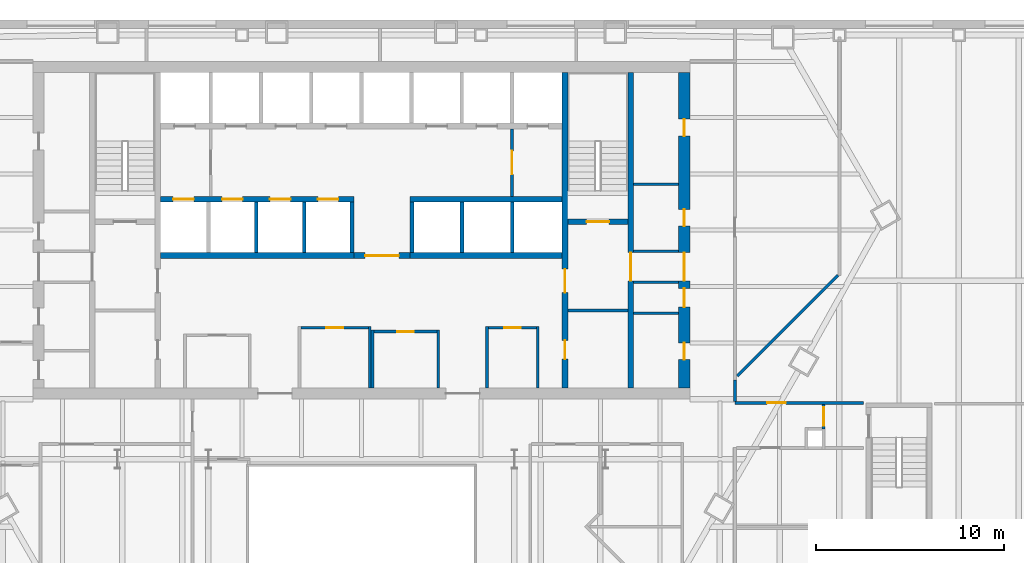
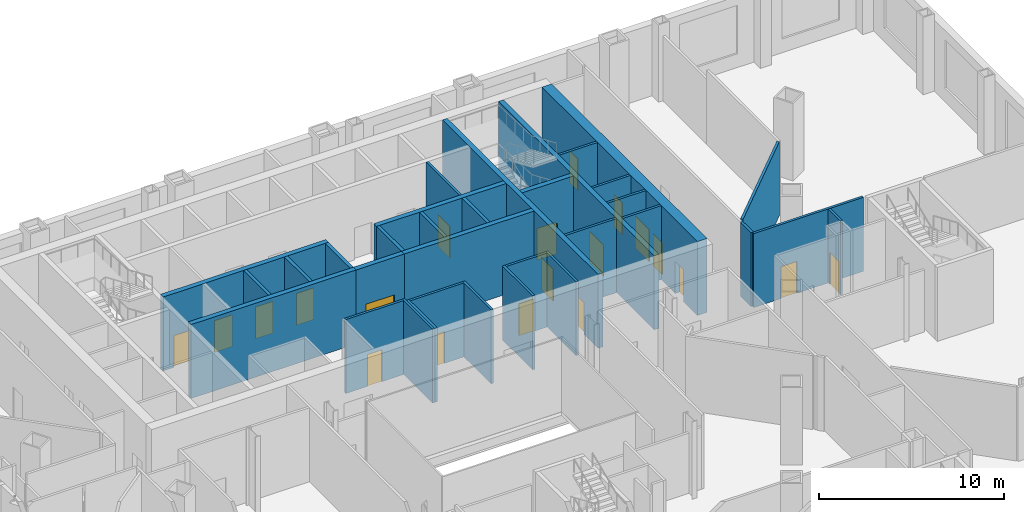
# One storey, part 13 of 21: 33 walls, 20 doors, 20 openings.
"""IFC4 building model written with IfcOpenShell, lengths in metres."""

from ifc_helpers import new_model, si_unit, direction, frame, frame_2d, origin, place, context, subcontext, project, spatial, rectangle, extrude, material, layer, layer_set, type_object, element, fill, save


model = new_model("IFC4")

# Units and contexts
model_context = context("Model", 3, precision=1e-05, world=origin(), true_north=direction((0.0, 1.0)))
body_context = subcontext(model_context, "Body", "Model", "MODEL_VIEW")
ifc_project = project(units=[si_unit("LENGTHUNIT", "METRE"), si_unit("AREAUNIT", "SQUARE_METRE"), si_unit("VOLUMEUNIT", "CUBIC_METRE"), si_unit("PLANEANGLEUNIT", "RADIAN"), si_unit("MASSUNIT", "GRAM", prefix="KILO")], contexts=[model_context])

# Site, building, storey
site_placement = place(None, origin())
site = spatial("IfcSite", under=ifc_project, at=site_placement, CompositionType="ELEMENT")
building_placement = place(site_placement, origin())
building = spatial("IfcBuilding", under=site, at=building_placement, Name="Njiva Tower", CompositionType="ELEMENT")
storey_placement = place(building_placement, frame((0.0, 0.0, 13.5)))
storey = spatial("IfcBuildingStorey", under=building, at=storey_placement, Name="L02", CompositionType="ELEMENT", Elevation=13.5)

# Walls
ifc_material_1 = material(Name="Blockwork", Category="masonry")
ifc_layer_1 = layer(ifc_material_1, 0.15)
ifc_layer_set_1 = layer_set([ifc_layer_1], Name="Blockwork")
wall_type_1 = type_object("IfcWallType", Name="WT1 Compartment partition 150", PredefinedType="PARTITIONING", material=ifc_layer_set_1)
wall_1_placement = place(storey_placement, frame((11.0, 4.725, 0.0), z_axis=(0.0, 0.0, 1.0), x_axis=(1.0, 0.0, 0.0)))
element("IfcWall", 1, at=wall_1_placement, inside=storey, type_object=wall_type_1, Name="Room wall B", PredefinedType="PARTITIONING", context=body_context, shape_type="SweptSolid", body=[
    extrude(rectangle(XDim=3.2, YDim=0.15, at=frame_2d((1.6, 0.0))), origin(), (0.0, 0.0, 1.0), 4.88),
])
wall_2_placement = place(storey_placement, frame((14.5, 4.575, 0.0), z_axis=(0.0, 0.0, 1.0), x_axis=(1.0, 0.0, 0.0)))
element("IfcWall", 2, at=wall_2_placement, inside=storey, type_object=wall_type_1, Name="Partition strip E00", PredefinedType="PARTITIONING", context=body_context, shape_type="SweptSolid", body=[
    extrude(rectangle(XDim=2.4, YDim=0.15, at=frame_2d((1.2, 0.0))), origin(), (0.0, 0.0, 1.0), 4.88),
])
wall_3_placement = place(storey_placement, frame((0.45, 0.6, 0.0), z_axis=(0.0, 0.0, 1.0), x_axis=(0.0, 1.0, 0.0)))
element("IfcWall", 3, at=wall_3_placement, inside=storey, type_object=wall_type_1, Name="Security office wall east", PredefinedType="PARTITIONING", context=body_context, shape_type="SweptSolid", body=[
    extrude(rectangle(XDim=3.275, YDim=0.15, at=frame_2d((1.6375, 0.0))), origin(), (0.0, 0.0, 1.0), 4.88),
])

# Wall, opening, door
wall_4_placement = place(storey_placement, frame((-3.225, 3.8, 0.0), z_axis=(0.0, 0.0, 1.0), x_axis=(1.0, 0.0, 0.0)))
wall_4 = element("IfcWall", 4, at=wall_4_placement, inside=storey, type_object=wall_type_1, Name="Security office wall north", PredefinedType="PARTITIONING", context=body_context, shape_type="SweptSolid", body=[
    extrude(rectangle(XDim=3.6, YDim=0.15, at=frame_2d((1.8, 0.0))), origin(), (0.0, 0.0, 1.0), 4.88),
])
opening_1_placement = place(wall_4_placement, frame((1.35, 0.0, 0.0)))
opening_1 = element("IfcOpeningElement", 5, at=opening_1_placement, cuts=wall_4, Name="Opening L02-D933", PredefinedType="OPENING", context=body_context, shape_type="SweptSolid", body=[
    extrude(rectangle(XDim=0.9, YDim=2.1, at=frame_2d((0.45, 1.05))), frame((0.0, 0.085, 0.0), z_axis=(0.0, -1.0, 0.0), x_axis=(1.0, 0.0, 0.0)), (0.0, 0.0, 1.0), 0.17),
])
ifc_material_2 = material(Name="Steel fire door, painted", Category="steel")
door_type_1 = type_object("IfcDoorType", Name="D6 Fire-rated door 900x2100", OperationType="SINGLE_SWING_LEFT", PredefinedType="DOOR", material=ifc_material_2)
door_1_placement = place(opening_1_placement, origin())
door_1 = element("IfcDoor", 6, at=door_1_placement, inside=storey, type_object=door_type_1, Name="Security office door", OperationType="SINGLE_SWING_LEFT", OverallHeight=2.1, OverallWidth=0.9, PredefinedType="DOOR", context=body_context, shape_type="SweptSolid", body=[
    extrude(rectangle(XDim=0.9, YDim=2.1, at=frame_2d((0.45, 1.05))), frame((0.0, 0.025, 0.0), z_axis=(0.0, -1.0, 0.0), x_axis=(1.0, 0.0, 0.0)), (0.0, 0.0, 1.0), 0.05),
])
fill(opening_1, door_1)

# Walls
for number, where, z_axis, x_axis, name in (
    (7, (0.6, 0.6, 0.0), (0.0, 0.0, 1.0), (0.0, 1.0, 0.0), "Concierge office wall west"),
    (8, (4.1, 0.6, 0.0), (0.0, 0.0, 1.0), (0.0, 1.0, 0.0), "Concierge office wall east"),
):
    element("IfcWall", number, at=place(storey_placement, frame(where, z_axis=z_axis, x_axis=x_axis)), inside=storey, type_object=wall_type_1, Name=name, PredefinedType="PARTITIONING", context=body_context, shape_type="SweptSolid", body=[
        extrude(rectangle(XDim=3.075, YDim=0.15, at=frame_2d((1.5375, 0.0))), origin(), (0.0, 0.0, 1.0), 4.88),
    ])

# Wall, opening, door
wall_5_placement = place(storey_placement, frame((0.675, 3.6, 0.0), z_axis=(0.0, 0.0, 1.0), x_axis=(1.0, 0.0, 0.0)))
wall_5 = element("IfcWall", 9, at=wall_5_placement, inside=storey, type_object=wall_type_1, Name="Concierge office wall north", PredefinedType="PARTITIONING", context=body_context, shape_type="SweptSolid", body=[
    extrude(rectangle(XDim=3.35, YDim=0.15, at=frame_2d((1.675, 0.0))), origin(), (0.0, 0.0, 1.0), 4.88),
])
opening_2_placement = place(wall_5_placement, frame((1.225, 0.0, 0.0)))
opening_2 = element("IfcOpeningElement", 10, at=opening_2_placement, cuts=wall_5, Name="Opening L02-D934", PredefinedType="OPENING", context=body_context, shape_type="SweptSolid", body=[
    extrude(rectangle(XDim=0.9, YDim=2.1, at=frame_2d((0.45, 1.05))), frame((0.0, 0.085, 0.0), z_axis=(0.0, -1.0, 0.0), x_axis=(1.0, 0.0, 0.0)), (0.0, 0.0, 1.0), 0.17),
])
door_2_placement = place(opening_2_placement, origin())
door_2 = element("IfcDoor", 11, at=door_2_placement, inside=storey, type_object=door_type_1, Name="Concierge office door", OperationType="SINGLE_SWING_LEFT", OverallHeight=2.1, OverallWidth=0.9, PredefinedType="DOOR", context=body_context, shape_type="SweptSolid", body=[
    extrude(rectangle(XDim=0.9, YDim=2.1, at=frame_2d((0.45, 1.05))), frame((0.0, 0.025, 0.0), z_axis=(0.0, -1.0, 0.0), x_axis=(1.0, 0.0, 0.0)), (0.0, 0.0, 1.0), 0.05),
])
fill(opening_2, door_2)

# Walls
for number, where, z_axis, x_axis, name in (
    (12, (6.7, 0.6, 0.0), (0.0, 0.0, 1.0), (0.0, 1.0, 0.0), "Post room wall west"),
    (13, (9.4, 0.6, 0.0), (0.0, 0.0, 1.0), (0.0, 1.0, 0.0), "Post room wall east"),
):
    element("IfcWall", number, at=place(storey_placement, frame(where, z_axis=z_axis, x_axis=x_axis)), inside=storey, type_object=wall_type_1, Name=name, PredefinedType="PARTITIONING", context=body_context, shape_type="SweptSolid", body=[
        extrude(rectangle(XDim=3.275, YDim=0.15, at=frame_2d((1.6375, 0.0))), origin(), (0.0, 0.0, 1.0), 4.88),
    ])

# Wall, opening, door
wall_6_placement = place(storey_placement, frame((6.775, 3.8, 0.0), z_axis=(0.0, 0.0, 1.0), x_axis=(1.0, 0.0, 0.0)))
wall_6 = element("IfcWall", 14, at=wall_6_placement, inside=storey, type_object=wall_type_1, Name="Post room wall north", PredefinedType="PARTITIONING", context=body_context, shape_type="SweptSolid", body=[
    extrude(rectangle(XDim=2.55, YDim=0.15, at=frame_2d((1.275, 0.0))), origin(), (0.0, 0.0, 1.0), 4.88),
])
opening_3_placement = place(wall_6_placement, frame((0.825, 0.0, 0.0)))
opening_3 = element("IfcOpeningElement", 15, at=opening_3_placement, cuts=wall_6, Name="Opening L02-D935", PredefinedType="OPENING", context=body_context, shape_type="SweptSolid", body=[
    extrude(rectangle(XDim=0.9, YDim=2.1, at=frame_2d((0.45, 1.05))), frame((0.0, 0.085, 0.0), z_axis=(0.0, -1.0, 0.0), x_axis=(1.0, 0.0, 0.0)), (0.0, 0.0, 1.0), 0.17),
])
door_3_placement = place(opening_3_placement, origin())
door_3 = element("IfcDoor", 16, at=door_3_placement, inside=storey, type_object=door_type_1, Name="Post room door", OperationType="SINGLE_SWING_RIGHT", OverallHeight=2.1, OverallWidth=0.9, PredefinedType="DOOR", context=body_context, shape_type="SweptSolid", body=[
    extrude(rectangle(XDim=0.9, YDim=2.1, at=frame_2d((0.45, 1.05))), frame((0.0, 0.025, 0.0), z_axis=(0.0, -1.0, 0.0), x_axis=(1.0, 0.0, 0.0)), (0.0, 0.0, 1.0), 0.05),
])
fill(opening_3, door_3)

# Wall, openings, doors
ifc_material_3 = material(Name="Concrete C40/50", Category="concrete")
ifc_layer_2 = layer(ifc_material_3, 0.3)
ifc_layer_set_2 = layer_set([ifc_layer_2], Name="Concrete C40/50")
wall_type_2 = type_object("IfcWallType", Name="WT10 Stair enclosure wall 300", PredefinedType="SHEAR", material=ifc_layer_set_2)
wall_7_placement = place(storey_placement, frame((10.85, 0.6, 0.0), z_axis=(0.0, 0.0, 1.0), x_axis=(0.0, 1.0, 0.0)))
wall_7 = element("IfcWall", 17, at=wall_7_placement, inside=storey, type_object=wall_type_2, Name="Stair wall east inner", PredefinedType="SHEAR", context=body_context, shape_type="SweptSolid", body=[
    extrude(rectangle(XDim=16.8, YDim=0.3, at=frame_2d((8.4, 0.0))), origin(), (0.0, 0.0, 1.0), 4.88),
])
opening_4_placement = place(wall_7_placement, frame((5.075, 0.0, 0.0)))
opening_4 = element("IfcOpeningElement", 18, at=opening_4_placement, cuts=wall_7, Name="Opening L02-D918", PredefinedType="OPENING", context=body_context, shape_type="SweptSolid", body=[
    extrude(rectangle(XDim=1.25, YDim=2.1, at=frame_2d((0.625, 1.05))), frame((0.0, 0.16, 0.0), z_axis=(0.0, -1.0, 0.0), x_axis=(1.0, 0.0, 0.0)), (0.0, 0.0, 1.0), 0.32),
])
opening_5_placement = place(wall_7_placement, frame((1.525, 0.0, 0.0)))
opening_5 = element("IfcOpeningElement", 19, at=opening_5_placement, cuts=wall_7, Name="Opening L02-D919", PredefinedType="OPENING", context=body_context, shape_type="SweptSolid", body=[
    extrude(rectangle(XDim=1.0, YDim=2.1, at=frame_2d((0.5, 1.05))), frame((0.0, 0.16, 0.0), z_axis=(0.0, -1.0, 0.0), x_axis=(1.0, 0.0, 0.0)), (0.0, 0.0, 1.0), 0.32),
])
ifc_material_4 = material(Name="Steel door, painted", Category="steel")
door_type_2 = type_object("IfcDoorType", Name="D5 Steel door 1000x2100", OperationType="SINGLE_SWING_LEFT", PredefinedType="DOOR", material=ifc_material_4)
door_4_placement = place(opening_5_placement, origin())
door_4 = element("IfcDoor", 20, at=door_4_placement, inside=storey, type_object=door_type_2, Name="First aid room door", OperationType="SINGLE_SWING_LEFT", OverallHeight=2.1, OverallWidth=1.0, PredefinedType="DOOR", context=body_context, shape_type="SweptSolid", body=[
    extrude(rectangle(XDim=1.0, YDim=2.1, at=frame_2d((0.5, 1.05))), frame((0.0, 0.025, 0.0), z_axis=(0.0, -1.0, 0.0), x_axis=(1.0, 0.0, 0.0)), (0.0, 0.0, 1.0), 0.05),
])
fill(opening_5, door_4)
ifc_material_5 = material(Name="Glazed steel fire door", Category="steel")
door_type_3 = type_object("IfcDoorType", Name="D8 Vestibule corridor door 1250x2100 glazed", OperationType="SINGLE_SWING_LEFT", PredefinedType="DOOR", material=ifc_material_5)
door_5_placement = place(opening_4_placement, origin())
door_5 = element("IfcDoor", 21, at=door_5_placement, inside=storey, type_object=door_type_3, Name="Stair vestibule corridor door", OperationType="SINGLE_SWING_RIGHT", OverallHeight=2.1, OverallWidth=1.25, PredefinedType="DOOR", context=body_context, shape_type="SweptSolid", body=[
    extrude(rectangle(XDim=1.25, YDim=2.1, at=frame_2d((0.625, 1.05))), frame((0.0, 0.025, 0.0), z_axis=(0.0, -1.0, 0.0), x_axis=(1.0, 0.0, 0.0)), (0.0, 0.0, 1.0), 0.05),
])
fill(opening_4, door_5)

# Wall, opening, door
wall_8_placement = place(storey_placement, frame((14.35, 0.6, 0.0), z_axis=(0.0, 0.0, 1.0), x_axis=(0.0, 1.0, 0.0)))
wall_8 = element("IfcWall", 22, at=wall_8_placement, inside=storey, type_object=wall_type_2, Name="Stair wall east outer", PredefinedType="SHEAR", context=body_context, shape_type="SweptSolid", body=[
    extrude(rectangle(XDim=16.8, YDim=0.3, at=frame_2d((8.4, 0.0))), origin(), (0.0, 0.0, 1.0), 4.88),
])
opening_6_placement = place(wall_8_placement, frame((5.7, 0.0, 0.0)))
opening_6 = element("IfcOpeningElement", 23, at=opening_6_placement, cuts=wall_8, Name="Opening L02-D926", PredefinedType="OPENING", context=body_context, shape_type="SweptSolid", body=[
    extrude(rectangle(XDim=1.5, YDim=2.1, at=frame_2d((0.75, 1.05))), frame((0.0, 0.16, 0.0), z_axis=(0.0, -1.0, 0.0), x_axis=(1.0, 0.0, 0.0)), (0.0, 0.0, 1.0), 0.32),
])
door_type_4 = type_object("IfcDoorType", Name="D10 Exit door double 1500x2100 glazed", OperationType="DOUBLE_DOOR_SINGLE_SWING", PredefinedType="DOOR", material=ifc_material_5)
door_6_placement = place(opening_6_placement, origin())
door_6 = element("IfcDoor", 24, at=door_6_placement, inside=storey, type_object=door_type_4, Name="Stair B passage door", OperationType="DOUBLE_DOOR_SINGLE_SWING", OverallHeight=2.1, OverallWidth=1.5, PredefinedType="DOOR", context=body_context, shape_type="SweptSolid", body=[
    extrude(rectangle(XDim=1.5, YDim=2.1, at=frame_2d((0.75, 1.05))), frame((0.0, 0.025, 0.0), z_axis=(0.0, -1.0, 0.0), x_axis=(1.0, 0.0, 0.0)), (0.0, 0.0, 1.0), 0.05),
])
fill(opening_6, door_6)

wall_9_placement = place(storey_placement, frame((11.0, 9.45, 0.0), z_axis=(0.0, 0.0, 1.0), x_axis=(1.0, 0.0, 0.0)))
wall_9 = element("IfcWall", 25, at=wall_9_placement, inside=storey, type_object=wall_type_2, Name="Stair B south wall", PredefinedType="SHEAR", context=body_context, shape_type="SweptSolid", body=[
    extrude(rectangle(XDim=3.2, YDim=0.3, at=frame_2d((1.6, 0.0))), origin(), (0.0, 0.0, 1.0), 4.88),
])
opening_7_placement = place(wall_9_placement, frame((1.0, 0.0, 0.0)))
opening_7 = element("IfcOpeningElement", 26, at=opening_7_placement, cuts=wall_9, Name="Opening L02-D917", PredefinedType="OPENING", context=body_context, shape_type="SweptSolid", body=[
    extrude(rectangle(XDim=1.2, YDim=2.1, at=frame_2d((0.6, 1.05))), frame((0.0, 0.16, 0.0), z_axis=(0.0, -1.0, 0.0), x_axis=(1.0, 0.0, 0.0)), (0.0, 0.0, 1.0), 0.32),
])
door_type_5 = type_object("IfcDoorType", Name="D7 Stair vestibule door 1200x2100 glazed", OperationType="SINGLE_SWING_LEFT", PredefinedType="DOOR", material=ifc_material_5)
door_7_placement = place(opening_7_placement, origin())
door_7 = element("IfcDoor", 27, at=door_7_placement, inside=storey, type_object=door_type_5, Name="Stair B door", OperationType="SINGLE_SWING_LEFT", OverallHeight=2.1, OverallWidth=1.2, PredefinedType="DOOR", context=body_context, shape_type="SweptSolid", body=[
    extrude(rectangle(XDim=1.2, YDim=2.1, at=frame_2d((0.6, 1.05))), frame((0.0, 0.025, 0.0), z_axis=(0.0, -1.0, 0.0), x_axis=(1.0, 0.0, 0.0)), (0.0, 0.0, 1.0), 0.05),
])
fill(opening_7, door_7)

# Wall, openings, doors
ifc_material_6 = material(Name="Concrete C60/75", Category="concrete")
ifc_layer_3 = layer(ifc_material_6, 0.6)
ifc_layer_set_3 = layer_set([ifc_layer_3], Name="Concrete C60/75")
wall_type_3 = type_object("IfcWallType", Name="WT15 Core wall 600", PredefinedType="SHEAR", material=ifc_layer_set_3)
wall_10_placement = place(storey_placement, frame((17.2, 0.6, 0.0), z_axis=(0.0, 0.0, 1.0), x_axis=(0.0, 1.0, 0.0)))
wall_10 = element("IfcWall", 28, at=wall_10_placement, inside=storey, type_object=wall_type_3, Name="Core wall east", PredefinedType="SHEAR", context=body_context, shape_type="SweptSolid", body=[
    extrude(rectangle(XDim=16.8, YDim=0.6, at=frame_2d((8.4, 0.0))), origin(), (0.0, 0.0, 1.0), 4.88),
])
opening_8_placement = place(wall_10_placement, frame((5.7, 0.0, 0.0)))
opening_8 = element("IfcOpeningElement", 29, at=opening_8_placement, cuts=wall_10, Name="Opening L02-D927", PredefinedType="OPENING", context=body_context, shape_type="SweptSolid", body=[
    extrude(rectangle(XDim=1.5, YDim=2.1, at=frame_2d((0.75, 1.05))), frame((0.0, 0.31, 0.0), z_axis=(0.0, -1.0, 0.0), x_axis=(1.0, 0.0, 0.0)), (0.0, 0.0, 1.0), 0.62),
])
opening_9_placement = place(wall_10_placement, frame((1.5, 0.0, 0.0)))
opening_9 = element("IfcOpeningElement", 30, at=opening_9_placement, cuts=wall_10, Name="Opening L02-D928", PredefinedType="OPENING", context=body_context, shape_type="SweptSolid", body=[
    extrude(rectangle(XDim=0.9, YDim=2.1, at=frame_2d((0.45, 1.05))), frame((0.0, 0.31, 0.0), z_axis=(0.0, -1.0, 0.0), x_axis=(1.0, 0.0, 0.0)), (0.0, 0.0, 1.0), 0.62),
])
opening_10_placement = place(wall_10_placement, frame((4.3, 0.0, 0.0)))
opening_10 = element("IfcOpeningElement", 31, at=opening_10_placement, cuts=wall_10, Name="Opening L02-D929", PredefinedType="OPENING", context=body_context, shape_type="SweptSolid", body=[
    extrude(rectangle(XDim=1.0, YDim=2.1, at=frame_2d((0.5, 1.05))), frame((0.0, 0.31, 0.0), z_axis=(0.0, -1.0, 0.0), x_axis=(1.0, 0.0, 0.0)), (0.0, 0.0, 1.0), 0.62),
])
opening_11_placement = place(wall_10_placement, frame((8.6132, 0.0, 0.0)))
opening_11 = element("IfcOpeningElement", 32, at=opening_11_placement, cuts=wall_10, Name="Opening L02-D930", PredefinedType="OPENING", context=body_context, shape_type="SweptSolid", body=[
    extrude(rectangle(XDim=0.9, YDim=2.1, at=frame_2d((0.45, 1.05))), frame((0.0, 0.31, 0.0), z_axis=(0.0, -1.0, 0.0), x_axis=(1.0, 0.0, 0.0)), (0.0, 0.0, 1.0), 0.62),
])
opening_12_placement = place(wall_10_placement, frame((13.4132, 0.0, 0.0)))
opening_12 = element("IfcOpeningElement", 33, at=opening_12_placement, cuts=wall_10, Name="Opening L02-D931", PredefinedType="OPENING", context=body_context, shape_type="SweptSolid", body=[
    extrude(rectangle(XDim=0.9, YDim=2.1, at=frame_2d((0.45, 1.05))), frame((0.0, 0.31, 0.0), z_axis=(0.0, -1.0, 0.0), x_axis=(1.0, 0.0, 0.0)), (0.0, 0.0, 1.0), 0.62),
])
door_8_placement = place(opening_8_placement, origin())
door_8 = element("IfcDoor", 34, at=door_8_placement, inside=storey, type_object=door_type_4, Name="Stair B corridor door", OperationType="DOUBLE_DOOR_SINGLE_SWING", OverallHeight=2.1, OverallWidth=1.5, PredefinedType="DOOR", context=body_context, shape_type="SweptSolid", body=[
    extrude(rectangle(XDim=1.5, YDim=2.1, at=frame_2d((0.75, 1.05))), frame((0.0, 0.025, 0.0), z_axis=(0.0, -1.0, 0.0), x_axis=(1.0, 0.0, 0.0)), (0.0, 0.0, 1.0), 0.05),
])
fill(opening_8, door_8)
door_type_6 = type_object("IfcDoorType", Name="D4 Riser door 900x2100", OperationType="SINGLE_SWING_LEFT", PredefinedType="DOOR", material=ifc_material_4)
door_9_placement = place(opening_11_placement, origin())
door_9 = element("IfcDoor", 35, at=door_9_placement, inside=storey, type_object=door_type_6, Name="Riser door", OperationType="SINGLE_SWING_RIGHT", OverallHeight=2.1, OverallWidth=0.9, PredefinedType="DOOR", context=body_context, shape_type="SweptSolid", body=[
    extrude(rectangle(XDim=0.9, YDim=2.1, at=frame_2d((0.45, 1.05))), frame((0.0, 0.025, 0.0), z_axis=(0.0, -1.0, 0.0), x_axis=(1.0, 0.0, 0.0)), (0.0, 0.0, 1.0), 0.05),
])
fill(opening_11, door_9)
door_10_placement = place(opening_10_placement, origin())
door_10 = element("IfcDoor", 36, at=door_10_placement, inside=storey, type_object=door_type_2, Name="Telecoms room door", OperationType="SINGLE_SWING_RIGHT", OverallHeight=2.1, OverallWidth=1.0, PredefinedType="DOOR", context=body_context, shape_type="SweptSolid", body=[
    extrude(rectangle(XDim=1.0, YDim=2.1, at=frame_2d((0.5, 1.05))), frame((0.0, 0.025, 0.0), z_axis=(0.0, -1.0, 0.0), x_axis=(1.0, 0.0, 0.0)), (0.0, 0.0, 1.0), 0.05),
])
fill(opening_10, door_10)
door_11_placement = place(opening_9_placement, origin())
door_11 = element("IfcDoor", 37, at=door_11_placement, inside=storey, type_object=door_type_1, Name="Meeting room door", OperationType="SINGLE_SWING_RIGHT", OverallHeight=2.1, OverallWidth=0.9, PredefinedType="DOOR", context=body_context, shape_type="SweptSolid", body=[
    extrude(rectangle(XDim=0.9, YDim=2.1, at=frame_2d((0.45, 1.05))), frame((0.0, 0.025, 0.0), z_axis=(0.0, -1.0, 0.0), x_axis=(1.0, 0.0, 0.0)), (0.0, 0.0, 1.0), 0.05),
])
fill(opening_9, door_11)
door_12_placement = place(opening_12_placement, origin())
door_12 = element("IfcDoor", 38, at=door_12_placement, inside=storey, type_object=door_type_1, Name="First aid room door", OperationType="SINGLE_SWING_LEFT", OverallHeight=2.1, OverallWidth=0.9, PredefinedType="DOOR", context=body_context, shape_type="SweptSolid", body=[
    extrude(rectangle(XDim=0.9, YDim=2.1, at=frame_2d((0.45, 1.05))), frame((0.0, 0.025, 0.0), z_axis=(0.0, -1.0, 0.0), x_axis=(1.0, 0.0, 0.0)), (0.0, 0.0, 1.0), 0.05),
])
fill(opening_12, door_12)

# Wall, opening, door
ifc_layer_4 = layer(ifc_material_1, 0.15)
ifc_layer_set_4 = layer_set([ifc_layer_4], Name="Blockwork")
wall_type_4 = type_object("IfcWallType", Name="WT2 Lobby partition 150", PredefinedType="PARTITIONING", material=ifc_layer_set_4)
wall_11_placement = place(storey_placement, frame((8.025, 10.8, 0.0), z_axis=(0.0, 0.0, 1.0), x_axis=(0.0, 1.0, 0.0)))
wall_11 = element("IfcWall", 39, at=wall_11_placement, inside=storey, type_object=wall_type_4, Name="Firefighting lobby wall B", PredefinedType="PARTITIONING", context=body_context, shape_type="SweptSolid", body=[
    extrude(rectangle(XDim=3.6, YDim=0.15, at=frame_2d((1.8, 0.0))), origin(), (0.0, 0.0, 1.0), 4.88),
])
opening_13_placement = place(wall_11_placement, frame((1.175, 0.0, 0.0)))
opening_13 = element("IfcOpeningElement", 40, at=opening_13_placement, cuts=wall_11, Name="Opening L02-D916", PredefinedType="OPENING", context=body_context, shape_type="SweptSolid", body=[
    extrude(rectangle(XDim=1.25, YDim=2.1, at=frame_2d((0.625, 1.05))), frame((0.0, 0.085, 0.0), z_axis=(0.0, -1.0, 0.0), x_axis=(1.0, 0.0, 0.0)), (0.0, 0.0, 1.0), 0.17),
])
door_13_placement = place(opening_13_placement, origin())
door_13 = element("IfcDoor", 41, at=door_13_placement, inside=storey, type_object=door_type_3, Name="Stair vestibule corridor door", OperationType="SINGLE_SWING_LEFT", OverallHeight=2.1, OverallWidth=1.25, PredefinedType="DOOR", context=body_context, shape_type="SweptSolid", body=[
    extrude(rectangle(XDim=1.25, YDim=2.1, at=frame_2d((0.625, 1.05))), frame((0.0, 0.025, 0.0), z_axis=(0.0, -1.0, 0.0), x_axis=(1.0, 0.0, 0.0)), (0.0, 0.0, 1.0), 0.05),
])
fill(opening_13, door_13)

# Wall
ifc_material_7 = material(Name="Gypsum board on steel studs", Category="gypsum")
ifc_layer_5 = layer(ifc_material_7, 0.15)
ifc_layer_set_5 = layer_set([ifc_layer_5], Name="Gypsum board on steel studs")
wall_type_5 = type_object("IfcWallType", Name="WT21 Compartment wall 150", PredefinedType="PARTITIONING", material=ifc_layer_set_5)
wall_12_placement = place(storey_placement, frame((19.9, -0.125, 0.0), z_axis=(0.0, 0.0, 1.0), x_axis=(0.0, 1.0, 0.0)))
element("IfcWall", 42, at=wall_12_placement, inside=storey, type_object=wall_type_5, Name="Partition L02-P083", PredefinedType="PARTITIONING", context=body_context, shape_type="SweptSolid", body=[
    extrude(rectangle(XDim=1.15, YDim=0.15, at=frame_2d((0.575, 0.0))), origin(), (0.0, 0.0, 1.0), 4.88),
])

# Wall, opening, door
wall_13_placement = place(storey_placement, frame((19.902, -0.2, 0.0), z_axis=(0.0, 0.0, 1.0), x_axis=(1.0, 0.0, 0.0)))
wall_13 = element("IfcWall", 43, at=wall_13_placement, inside=storey, type_object=wall_type_5, Name="Partition L02-P086", PredefinedType="PARTITIONING", context=body_context, shape_type="SweptSolid", body=[
    extrude(rectangle(XDim=6.848, YDim=0.15, at=frame_2d((3.424, 0.0))), origin(), (0.0, 0.0, 1.0), 4.88),
])
opening_14_placement = place(wall_13_placement, frame((1.713, 0.0, 0.0)))
opening_14 = element("IfcOpeningElement", 44, at=opening_14_placement, cuts=wall_13, Name="Opening L02-D032", PredefinedType="OPENING", context=body_context, shape_type="SweptSolid", body=[
    extrude(rectangle(XDim=1.0, YDim=2.1, at=frame_2d((0.5, 1.05))), frame((0.0, 0.085, 0.0), z_axis=(0.0, -1.0, 0.0), x_axis=(1.0, 0.0, 0.0)), (0.0, 0.0, 1.0), 0.17),
])
ifc_material_8 = material(Name="Steel fire door set", Category="steel")
door_type_7 = type_object("IfcDoorType", Name="D37 Fire door 1000x2100", OperationType="SINGLE_SWING_LEFT", PredefinedType="DOOR", material=ifc_material_8)
door_14_placement = place(opening_14_placement, origin())
door_14 = element("IfcDoor", 45, at=door_14_placement, inside=storey, type_object=door_type_7, Name="Door L02-D032", OperationType="SINGLE_SWING_RIGHT", OverallHeight=2.1, OverallWidth=1.0, PredefinedType="DOOR", context=body_context, shape_type="SweptSolid", body=[
    extrude(rectangle(XDim=1.0, YDim=2.1, at=frame_2d((0.5, 1.05))), frame((0.0, 0.025, 0.0), z_axis=(0.0, -1.0, 0.0), x_axis=(1.0, 0.0, 0.0)), (0.0, 0.0, 1.0), 0.05),
])
fill(opening_14, door_14)

# Wall
wall_14_placement = place(storey_placement, frame((20.028, 1.228, 0.0), z_axis=(0.0, 0.0, 1.0), x_axis=(0.707106781187, 0.707106781187, 0.0)))
element("IfcWall", 46, at=wall_14_placement, inside=storey, type_object=wall_type_5, Name="Partition L02-P090", PredefinedType="PARTITIONING", context=body_context, shape_type="SweptSolid", body=[
    extrude(rectangle(XDim=7.5858, YDim=0.15, at=frame_2d((3.7929, 0.0))), origin(), (0.0, 0.0, 1.0), 4.88),
])

# Wall, opening, door
wall_15_placement = place(storey_placement, frame((24.625, -1.588, 0.0), z_axis=(0.0, 0.0, 1.0), x_axis=(0.0, 1.0, 0.0)))
wall_15 = element("IfcWall", 47, at=wall_15_placement, inside=storey, type_object=wall_type_5, Name="Partition L02-P095", PredefinedType="PARTITIONING", context=body_context, shape_type="SweptSolid", body=[
    extrude(rectangle(XDim=1.313, YDim=0.15, at=frame_2d((0.6565, 0.0))), origin(), (0.0, 0.0, 1.0), 4.88),
])
opening_15_placement = place(wall_15_placement, frame((0.157, 0.0, 0.0)))
opening_15 = element("IfcOpeningElement", 48, at=opening_15_placement, cuts=wall_15, Name="Opening L02-D034", PredefinedType="OPENING", context=body_context, shape_type="SweptSolid", body=[
    extrude(rectangle(XDim=1.0, YDim=2.1, at=frame_2d((0.5, 1.05))), frame((0.0, 0.085, 0.0), z_axis=(0.0, -1.0, 0.0), x_axis=(1.0, 0.0, 0.0)), (0.0, 0.0, 1.0), 0.17),
])
door_type_8 = type_object("IfcDoorType", Name="D41 Glazed fire door 1000x2100", OperationType="SINGLE_SWING_LEFT", PredefinedType="DOOR", material=ifc_material_5)
door_15_placement = place(opening_15_placement, origin())
door_15 = element("IfcDoor", 49, at=door_15_placement, inside=storey, type_object=door_type_8, Name="Door L02-D034", OperationType="SINGLE_SWING_RIGHT", OverallHeight=2.1, OverallWidth=1.0, PredefinedType="DOOR", context=body_context, shape_type="SweptSolid", body=[
    extrude(rectangle(XDim=1.0, YDim=2.1, at=frame_2d((0.5, 1.05))), frame((0.0, 0.025, 0.0), z_axis=(0.0, -1.0, 0.0), x_axis=(1.0, 0.0, 0.0)), (0.0, 0.0, 1.0), 0.05),
])
fill(opening_15, door_15)

# Walls
ifc_layer_6 = layer(ifc_material_1, 0.15)
ifc_layer_set_6 = layer_set([ifc_layer_6], Name="Blockwork")
wall_type_6 = type_object("IfcWallType", Name="WT3 Riser partition 150", PredefinedType="PARTITIONING", material=ifc_layer_set_6)
wall_16_placement = place(storey_placement, frame((14.5, 11.4513, 0.0), z_axis=(0.0, 0.0, 1.0), x_axis=(1.0, 0.0, 0.0)))
element("IfcWall", 50, at=wall_16_placement, inside=storey, type_object=wall_type_6, Name="Partition strip E10", PredefinedType="PARTITIONING", context=body_context, shape_type="SweptSolid", body=[
    extrude(rectangle(XDim=2.4, YDim=0.15, at=frame_2d((1.2, 0.0))), origin(), (0.0, 0.0, 1.0), 4.88),
])
ifc_layer_7 = layer(ifc_material_1, 0.15)
ifc_layer_set_7 = layer_set([ifc_layer_7], Name="Blockwork")
wall_type_7 = type_object("IfcWallType", Name="WT4 Stair partition 150", PredefinedType="PARTITIONING", material=ifc_layer_set_7)
for number, where, z_axis, x_axis, name in (
    (51, (14.5, 6.225, 0.0), (0.0, 0.0, 1.0), (1.0, 0.0, 0.0), "Stair B exit passage wall south"),
    (52, (14.5, 7.875, 0.0), (0.0, 0.0, 1.0), (1.0, 0.0, 0.0), "Stair B exit passage wall north"),
):
    element("IfcWall", number, at=place(storey_placement, frame(where, z_axis=z_axis, x_axis=x_axis)), inside=storey, type_object=wall_type_7, Name=name, PredefinedType="PARTITIONING", context=body_context, shape_type="SweptSolid", body=[
        extrude(rectangle(XDim=2.4, YDim=0.15, at=frame_2d((1.2, 0.0))), origin(), (0.0, 0.0, 1.0), 4.88),
    ])

# Wall, opening, door
ifc_layer_8 = layer(ifc_material_1, 0.3)
ifc_layer_set_8 = layer_set([ifc_layer_8], Name="Blockwork")
wall_type_8 = type_object("IfcWallType", Name="WT5 Lobby partition 300", PredefinedType="PARTITIONING", material=ifc_layer_set_8)
wall_17_placement = place(storey_placement, frame((-0.4, 7.65, 0.0), z_axis=(0.0, 0.0, 1.0), x_axis=(1.0, 0.0, 0.0)))
wall_17 = element("IfcWall", 53, at=wall_17_placement, inside=storey, type_object=wall_type_8, Name="Lift lobby screen wall", PredefinedType="PARTITIONING", context=body_context, shape_type="SweptSolid", body=[
    extrude(rectangle(XDim=3.0, YDim=0.3, at=frame_2d((1.5, 0.0))), origin(), (0.0, 0.0, 1.0), 4.88),
])
opening_16_placement = place(wall_17_placement, frame((0.6, 0.0, 0.0)))
opening_16 = element("IfcOpeningElement", 54, at=opening_16_placement, cuts=wall_17, Name="Opening L02-D936", PredefinedType="OPENING", context=body_context, shape_type="SweptSolid", body=[
    extrude(rectangle(XDim=1.8, YDim=2.4, at=frame_2d((0.9, 1.2))), frame((0.0, 0.16, 0.0), z_axis=(0.0, -1.0, 0.0), x_axis=(1.0, 0.0, 0.0)), (0.0, 0.0, 1.0), 0.32),
])
ifc_material_9 = material(Name="Steel and glass door", Category="steel")
door_type_9 = type_object("IfcDoorType", Name="D3 Core entrance door 1800x2400", OperationType="DOUBLE_DOOR_SINGLE_SWING", PredefinedType="DOOR", material=ifc_material_9)
door_16_placement = place(opening_16_placement, origin())
door_16 = element("IfcDoor", 55, at=door_16_placement, inside=storey, type_object=door_type_9, Name="Core entrance door", OperationType="DOUBLE_DOOR_SINGLE_SWING", OverallHeight=2.4, OverallWidth=1.8, PredefinedType="DOOR", context=body_context, shape_type="SweptSolid", body=[
    extrude(rectangle(XDim=1.8, YDim=2.4, at=frame_2d((0.9, 1.2))), frame((0.0, 0.025, 0.0), z_axis=(0.0, -1.0, 0.0), x_axis=(1.0, 0.0, 0.0)), (0.0, 0.0, 1.0), 0.05),
])
fill(opening_16, door_16)

# Walls
ifc_layer_9 = layer(ifc_material_3, 0.2)
ifc_layer_set_9 = layer_set([ifc_layer_9], Name="Concrete C40/50")
wall_type_9 = type_object("IfcWallType", Name="WT6 Lift shaft wall 200", PredefinedType="SHEAR", material=ifc_layer_set_9)
for number, where, z_axis, x_axis, name in (
    (56, (-5.6, 7.8, 0.0), (0.0, 0.0, 1.0), (0.0, 1.0, 0.0), "Shaft wall CS2"),
    (57, (-3.05, 7.8, 0.0), (0.0, 0.0, 1.0), (0.0, 1.0, 0.0), "Shaft wall CS3"),
    (58, (-0.5, 7.8, 0.0), (0.0, 0.0, 1.0), (0.0, 1.0, 0.0), "Shaft wall CS4"),
    (59, (2.7, 7.8, 0.0), (0.0, 0.0, 1.0), (0.0, 1.0, 0.0), "Shaft wall CS5"),
    (60, (5.3667, 7.8, 0.0), (0.0, 0.0, 1.0), (0.0, 1.0, 0.0), "Shaft wall CS6"),
    (61, (8.0333, 7.8, 0.0), (0.0, 0.0, 1.0), (0.0, 1.0, 0.0), "Shaft wall CS7"),
):
    element("IfcWall", number, at=place(storey_placement, frame(where, z_axis=z_axis, x_axis=x_axis)), inside=storey, type_object=wall_type_9, Name=name, PredefinedType="SHEAR", context=body_context, shape_type="SweptSolid", body=[
        extrude(rectangle(XDim=2.7, YDim=0.2, at=frame_2d((1.35, 0.0))), origin(), (0.0, 0.0, 1.0), 4.88),
    ])

# Wall, openings, doors
ifc_layer_10 = layer(ifc_material_3, 0.3)
ifc_layer_set_10 = layer_set([ifc_layer_10], Name="Concrete C40/50")
wall_type_10 = type_object("IfcWallType", Name="WT7 Lift shaft wall 300", PredefinedType="SHEAR", material=ifc_layer_set_10)
wall_18_placement = place(storey_placement, frame((-10.7, 10.65, 0.0), z_axis=(0.0, 0.0, 1.0), x_axis=(1.0, 0.0, 0.0)))
wall_18 = element("IfcWall", 62, at=wall_18_placement, inside=storey, type_object=wall_type_10, Name="Shaft wall south row lobby side W", PredefinedType="SHEAR", context=body_context, shape_type="SweptSolid", body=[
    extrude(rectangle(XDim=10.3, YDim=0.3, at=frame_2d((5.15, 0.0))), origin(), (0.0, 0.0, 1.0), 4.88),
])
opening_17_placement = place(wall_18_placement, frame((0.675, 0.0, 0.0)))
opening_17 = element("IfcOpeningElement", 63, at=opening_17_placement, cuts=wall_18, Name="Opening L02-D908", PredefinedType="OPENING", context=body_context, shape_type="SweptSolid", body=[
    extrude(rectangle(XDim=1.1, YDim=2.1, at=frame_2d((0.55, 1.05))), frame((0.0, 0.16, 0.0), z_axis=(0.0, -1.0, 0.0), x_axis=(1.0, 0.0, 0.0)), (0.0, 0.0, 1.0), 0.32),
])
opening_18_placement = place(wall_18_placement, frame((3.275, 0.0, 0.0)))
opening_18 = element("IfcOpeningElement", 64, at=opening_18_placement, cuts=wall_18, Name="Opening L02-D909", PredefinedType="OPENING", context=body_context, shape_type="SweptSolid", body=[
    extrude(rectangle(XDim=1.1, YDim=2.1, at=frame_2d((0.55, 1.05))), frame((0.0, 0.16, 0.0), z_axis=(0.0, -1.0, 0.0), x_axis=(1.0, 0.0, 0.0)), (0.0, 0.0, 1.0), 0.32),
])
opening_19_placement = place(wall_18_placement, frame((5.825, 0.0, 0.0)))
opening_19 = element("IfcOpeningElement", 65, at=opening_19_placement, cuts=wall_18, Name="Opening L02-D910", PredefinedType="OPENING", context=body_context, shape_type="SweptSolid", body=[
    extrude(rectangle(XDim=1.1, YDim=2.1, at=frame_2d((0.55, 1.05))), frame((0.0, 0.16, 0.0), z_axis=(0.0, -1.0, 0.0), x_axis=(1.0, 0.0, 0.0)), (0.0, 0.0, 1.0), 0.32),
])
opening_20_placement = place(wall_18_placement, frame((8.375, 0.0, 0.0)))
opening_20 = element("IfcOpeningElement", 66, at=opening_20_placement, cuts=wall_18, Name="Opening L02-D911", PredefinedType="OPENING", context=body_context, shape_type="SweptSolid", body=[
    extrude(rectangle(XDim=1.1, YDim=2.1, at=frame_2d((0.55, 1.05))), frame((0.0, 0.16, 0.0), z_axis=(0.0, -1.0, 0.0), x_axis=(1.0, 0.0, 0.0)), (0.0, 0.0, 1.0), 0.32),
])
ifc_material_10 = material(Name="Stainless steel sliding door", Category="steel")
door_type_10 = type_object("IfcDoorType", Name="LD Lift landing door 1100x2100", OperationType="SLIDING_TO_LEFT", PredefinedType="DOOR", material=ifc_material_10)
door_17_placement = place(opening_17_placement, origin())
door_17 = element("IfcDoor", 67, at=door_17_placement, inside=storey, type_object=door_type_10, Name="Lift landing door LB4", OperationType="SLIDING_TO_LEFT", OverallHeight=2.1, OverallWidth=1.1, PredefinedType="DOOR", context=body_context, shape_type="SweptSolid", body=[
    extrude(rectangle(XDim=1.1, YDim=2.1, at=frame_2d((0.55, 1.05))), frame((0.0, 0.025, 0.0), z_axis=(0.0, -1.0, 0.0), x_axis=(1.0, 0.0, 0.0)), (0.0, 0.0, 1.0), 0.05),
])
fill(opening_17, door_17)
door_18_placement = place(opening_18_placement, origin())
door_18 = element("IfcDoor", 68, at=door_18_placement, inside=storey, type_object=door_type_10, Name="Lift landing door LB5", OperationType="SLIDING_TO_LEFT", OverallHeight=2.1, OverallWidth=1.1, PredefinedType="DOOR", context=body_context, shape_type="SweptSolid", body=[
    extrude(rectangle(XDim=1.1, YDim=2.1, at=frame_2d((0.55, 1.05))), frame((0.0, 0.025, 0.0), z_axis=(0.0, -1.0, 0.0), x_axis=(1.0, 0.0, 0.0)), (0.0, 0.0, 1.0), 0.05),
])
fill(opening_18, door_18)
door_19_placement = place(opening_19_placement, origin())
door_19 = element("IfcDoor", 69, at=door_19_placement, inside=storey, type_object=door_type_10, Name="Lift landing door LB6", OperationType="SLIDING_TO_LEFT", OverallHeight=2.1, OverallWidth=1.1, PredefinedType="DOOR", context=body_context, shape_type="SweptSolid", body=[
    extrude(rectangle(XDim=1.1, YDim=2.1, at=frame_2d((0.55, 1.05))), frame((0.0, 0.025, 0.0), z_axis=(0.0, -1.0, 0.0), x_axis=(1.0, 0.0, 0.0)), (0.0, 0.0, 1.0), 0.05),
])
fill(opening_19, door_19)
door_20_placement = place(opening_20_placement, origin())
door_20 = element("IfcDoor", 70, at=door_20_placement, inside=storey, type_object=door_type_10, Name="Lift landing door LB7", OperationType="SLIDING_TO_LEFT", OverallHeight=2.1, OverallWidth=1.1, PredefinedType="DOOR", context=body_context, shape_type="SweptSolid", body=[
    extrude(rectangle(XDim=1.1, YDim=2.1, at=frame_2d((0.55, 1.05))), frame((0.0, 0.025, 0.0), z_axis=(0.0, -1.0, 0.0), x_axis=(1.0, 0.0, 0.0)), (0.0, 0.0, 1.0), 0.05),
])
fill(opening_20, door_20)

# Walls
wall_19_placement = place(storey_placement, frame((-10.7, 7.65, 0.0), z_axis=(0.0, 0.0, 1.0), x_axis=(1.0, 0.0, 0.0)))
element("IfcWall", 71, at=wall_19_placement, inside=storey, type_object=wall_type_10, Name="Shaft wall south row back W", PredefinedType="SHEAR", context=body_context, shape_type="SweptSolid", body=[
    extrude(rectangle(XDim=10.3, YDim=0.3, at=frame_2d((5.15, 0.0))), origin(), (0.0, 0.0, 1.0), 4.88),
])
for number, where, z_axis, x_axis, name in (
    (72, (2.6, 10.65, 0.0), (0.0, 0.0, 1.0), (1.0, 0.0, 0.0), "Shaft wall south row lobby side E"),
    (73, (2.6, 7.65, 0.0), (0.0, 0.0, 1.0), (1.0, 0.0, 0.0), "Shaft wall south row back E"),
):
    element("IfcWall", number, at=place(storey_placement, frame(where, z_axis=z_axis, x_axis=x_axis)), inside=storey, type_object=wall_type_10, Name=name, PredefinedType="SHEAR", context=body_context, shape_type="SweptSolid", body=[
        extrude(rectangle(XDim=8.1, YDim=0.3, at=frame_2d((4.05, 0.0))), origin(), (0.0, 0.0, 1.0), 4.88),
    ])

save(model, "model.ifc")
